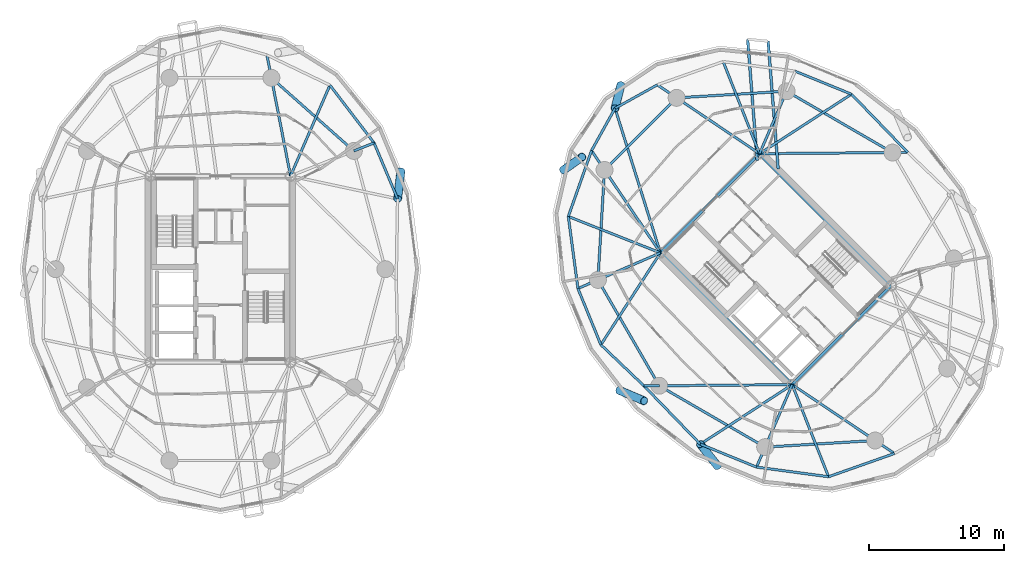
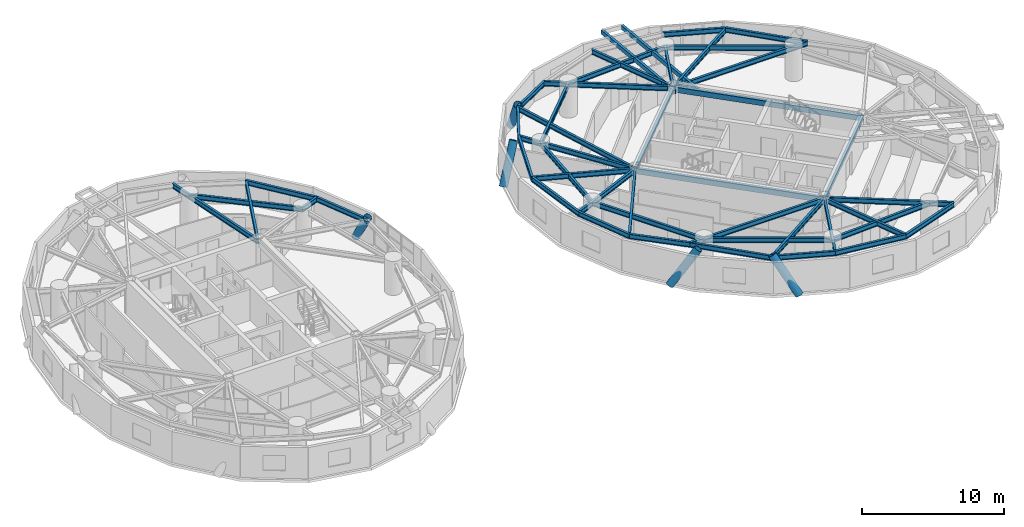
# One storey, part 4 of 17: 47 beams, 5 members.
"""IFC4 building model written with IfcOpenShell, lengths in metres."""

from ifc_helpers import new_model, si_unit, direction, frame, origin, origin_2d, place, context, subcontext, project, spatial, hollow_rectangle, hollow_circle, i_section, extrude, material, material_profile, profile_set, type_object, element, save


model = new_model("IFC4")

# Units and contexts
model_context = context("Model", 3, precision=1e-05, world=origin(), true_north=direction((0.0, 1.0)))
body_context = subcontext(model_context, "Body", "Model", "MODEL_VIEW")
ifc_project = project(units=[si_unit("LENGTHUNIT", "METRE"), si_unit("AREAUNIT", "SQUARE_METRE"), si_unit("VOLUMEUNIT", "CUBIC_METRE"), si_unit("PLANEANGLEUNIT", "RADIAN"), si_unit("MASSUNIT", "GRAM", prefix="KILO")], contexts=[model_context])

# Site, building, storey
site_placement = place(None, origin())
site = spatial("IfcSite", under=ifc_project, at=site_placement, CompositionType="ELEMENT")
building_placement = place(site_placement, origin())
building = spatial("IfcBuilding", under=site, at=building_placement, Name="Cununo Teusaquillo Station Towers", CompositionType="ELEMENT")
storey_placement = place(building_placement, frame((0.0, 0.0, 166.14990234375)))
storey = spatial("IfcBuildingStorey", under=building, at=storey_placement, Name="L52", CompositionType="ELEMENT", Elevation=166.14990234375)

# Beams
ifc_material_1 = material(Name="Steel EN 10025-2 S355J2", Category="steel")
ifc_material_profile_1 = material_profile(ifc_material_1, hollow_rectangle(XDim=0.199951171875, YDim=0.35009765625, WallThickness=0.013916015625, at=origin_2d()), Name="RHS 350x200x14")
ifc_profile_set_1 = profile_set([ifc_material_profile_1], Name="Steel EN 10025-2 S355J2")
beam_type_1 = type_object("IfcBeamType", Name="BM-BAL-CANT", PredefinedType="BEAM", material=ifc_profile_set_1)
beam_1_placement = place(storey_placement, frame((57.670166015625, 31.895751953125, 2.51513671875), z_axis=(-0.07823802751, 0.996934707517, 0.0), x_axis=(-0.996934707517, -0.07823802751, 0.0)))
element("IfcBeam", 1, at=beam_1_placement, inside=storey, type_object=beam_type_1, Name="L52 Tower B Balcony Cantilever Bracket 1A", PredefinedType="BEAM", context=body_context, shape_type="SweptSolid", body=[
    extrude(hollow_rectangle(XDim=0.199951171875, YDim=0.35009765625, WallThickness=0.013916015625, at=origin_2d()), origin(), (0.0, 0.0, 1.0), 9.458251953125),
])
beam_2_placement = place(storey_placement, frame((56.119384765625, 32.52392578125, 2.51513671875), z_axis=(-0.078230988808, 0.996935259879, 0.0), x_axis=(-0.996935259879, -0.078230988808, 0.0)))
element("IfcBeam", 2, at=beam_2_placement, inside=storey, type_object=beam_type_1, Name="L52 Tower B Balcony Cantilever Bracket 1B", PredefinedType="BEAM", context=body_context, shape_type="SweptSolid", body=[
    extrude(hollow_rectangle(XDim=0.199951171875, YDim=0.35009765625, WallThickness=0.013916015625, at=origin_2d()), origin(), (0.0, 0.0, 1.0), 8.978515625),
])
ifc_material_2 = material(Name="Steel EN 10025-2 S355J2", Category="steel")
ifc_material_profile_2 = material_profile(ifc_material_2, hollow_rectangle(XDim=0.25, YDim=0.449951171875, WallThickness=0.01611328125, at=origin_2d()), Name="RHS 450x250x16")
ifc_profile_set_2 = profile_set([ifc_material_profile_2], Name="Steel EN 10025-2 S355J2")
beam_type_2 = type_object("IfcBeamType", Name="BM-COUP-1", PredefinedType="USERDEFINED", material=ifc_profile_set_2)
for number, where, z_axis, x_axis, name in (
    (3, (58.70556640625, 15.975830078125, 2.465087890625), (-0.707106781187, 0.707106781187, 0.0), (-0.707106781187, -0.707106781187, 0.0), "L52 Tower B Core Beam 1"),
    (4, (66.024169921875, 23.29443359375, 2.465087890625), (-0.707106781187, 0.707106781187, 0.0), (-0.707106781187, -0.707106781187, 0.0), "L52 Tower B Core Beam 2"),
):
    element("IfcBeam", number, at=place(storey_placement, frame(where, z_axis=z_axis, x_axis=x_axis)), inside=storey, type_object=beam_type_2, Name=name, ObjectType="COUPLING BEAM", PredefinedType="USERDEFINED", context=body_context, shape_type="SweptSolid", body=[
        extrude(hollow_rectangle(XDim=0.25, YDim=0.449951171875, WallThickness=0.01611328125, at=origin_2d()), origin(), (0.0, 0.0, 1.0), 13.760009765625),
    ])
ifc_material_3 = material(Name="Steel ASTM A572 Grade 50", Category="steel")
ifc_material_profile_3 = material_profile(ifc_material_3, i_section(OverallWidth=0.180908203125, OverallDepth=0.4169921875, WebThickness=0.010986328125, FlangeThickness=0.018310546875, FilletRadius=0.012939453125, at=origin_2d()), Name="W16X57")
ifc_profile_set_3 = profile_set([ifc_material_profile_3], Name="Steel ASTM A572 Grade 50")
beam_type_3 = type_object("IfcBeamType", Name="BM-JOIST-1", PredefinedType="JOIST", material=ifc_profile_set_3)
beam_3_placement = place(storey_placement, frame((21.675048828125, 31.3798828125, 2.481689453125), z_axis=(0.397903718051, 0.917427180304, 0.0), x_axis=(-0.917427180304, 0.397903718051, 0.0)))
element("IfcBeam", 5, at=beam_3_placement, inside=storey, type_object=beam_type_3, Name="L52 Tower A Radial Spandrel Joist V03", PredefinedType="JOIST", context=body_context, shape_type="SweptSolid", body=[
    extrude(i_section(OverallWidth=0.180908203125, OverallDepth=0.4169921875, WebThickness=0.010986328125, FlangeThickness=0.018310546875, FilletRadius=0.012939453125, at=origin_2d()), origin(), (0.0, 0.0, 1.0), 7.306884765625),
])
beam_4_placement = place(storey_placement, frame((56.29443359375, 33.024169921875, 2.481689453125), z_axis=(0.839447756954, 0.543440395394, 0.0), x_axis=(-0.543440395394, 0.839447756954, 0.0)))
element("IfcBeam", 6, at=beam_4_placement, inside=storey, type_object=beam_type_3, Name="L52 Tower B Radial Spandrel Joist V01", PredefinedType="JOIST", context=body_context, shape_type="SweptSolid", body=[
    extrude(i_section(OverallWidth=0.180908203125, OverallDepth=0.4169921875, WebThickness=0.010986328125, FlangeThickness=0.018310546875, FilletRadius=0.012939453125, at=origin_2d()), origin(), (0.0, 0.0, 1.0), 8.08203125),
])
beam_5_placement = place(storey_placement, frame((56.29443359375, 33.024169921875, 2.481689453125), z_axis=(-0.367331607091, 0.93009004426, 0.0), x_axis=(-0.93009004426, -0.367331607091, 0.0)))
element("IfcBeam", 7, at=beam_5_placement, inside=storey, type_object=beam_type_3, Name="L52 Tower B Radial Spandrel Joist V03", PredefinedType="JOIST", context=body_context, shape_type="SweptSolid", body=[
    extrude(i_section(OverallWidth=0.180908203125, OverallDepth=0.4169921875, WebThickness=0.010986328125, FlangeThickness=0.018310546875, FilletRadius=0.012939453125, at=origin_2d()), origin(), (0.0, 0.0, 1.0), 7.306884765625),
])
beam_6_placement = place(storey_placement, frame((48.975830078125, 25.70556640625, 2.481689453125), z_axis=(-0.29947962656, 0.954102695351, 0.0), x_axis=(-0.954102695351, -0.29947962656, 0.0)))
element("IfcBeam", 8, at=beam_6_placement, inside=storey, type_object=beam_type_3, Name="L52 Tower B Radial Spandrel Joist V05", PredefinedType="JOIST", context=body_context, shape_type="SweptSolid", body=[
    extrude(i_section(OverallWidth=0.180908203125, OverallDepth=0.4169921875, WebThickness=0.010986328125, FlangeThickness=0.018310546875, FilletRadius=0.012939453125, at=origin_2d()), origin(), (0.0, 0.0, 1.0), 11.179931640625),
])
beam_7_placement = place(storey_placement, frame((48.975830078125, 25.70556640625, 2.481689453125), z_axis=(-0.93009004426, 0.367331607091, 0.0), x_axis=(-0.367331607091, -0.93009004426, 0.0)))
element("IfcBeam", 9, at=beam_7_placement, inside=storey, type_object=beam_type_3, Name="L52 Tower B Radial Spandrel Joist V07", PredefinedType="JOIST", context=body_context, shape_type="SweptSolid", body=[
    extrude(i_section(OverallWidth=0.180908203125, OverallDepth=0.4169921875, WebThickness=0.010986328125, FlangeThickness=0.018310546875, FilletRadius=0.012939453125, at=origin_2d()), origin(), (0.0, 0.0, 1.0), 7.306884765625),
])
for number, where, z_axis, x_axis, name in (
    (10, (48.975830078125, 25.70556640625, 2.481689453125), (-0.543440395394, -0.839447756954, 0.0), (0.839447756954, -0.543440395394, 0.0), "L52 Tower B Radial Spandrel Joist V09"),
    (11, (58.70556640625, 15.975830078125, 2.481689453125), (-0.839447756954, -0.543440395394, 0.0), (0.543440395394, -0.839447756954, 0.0), "L52 Tower B Radial Spandrel Joist V11"),
):
    element("IfcBeam", number, at=place(storey_placement, frame(where, z_axis=z_axis, x_axis=x_axis)), inside=storey, type_object=beam_type_3, Name=name, PredefinedType="JOIST", context=body_context, shape_type="SweptSolid", body=[
        extrude(i_section(OverallWidth=0.180908203125, OverallDepth=0.4169921875, WebThickness=0.010986328125, FlangeThickness=0.018310546875, FilletRadius=0.012939453125, at=origin_2d()), origin(), (0.0, 0.0, 1.0), 8.08203125),
    ])
beam_8_placement = place(storey_placement, frame((58.70556640625, 15.975830078125, 2.481689453125), z_axis=(0.367331607091, -0.93009004426, 0.0), x_axis=(0.93009004426, 0.367331607091, 0.0)))
element("IfcBeam", 12, at=beam_8_placement, inside=storey, type_object=beam_type_3, Name="L52 Tower B Radial Spandrel Joist V13", PredefinedType="JOIST", context=body_context, shape_type="SweptSolid", body=[
    extrude(i_section(OverallWidth=0.180908203125, OverallDepth=0.4169921875, WebThickness=0.010986328125, FlangeThickness=0.018310546875, FilletRadius=0.012939453125, at=origin_2d()), origin(), (0.0, 0.0, 1.0), 7.306884765625),
])
ifc_material_4 = material(Name="Steel ASTM A572 Grade 50", Category="steel")
ifc_material_profile_4 = material_profile(ifc_material_4, i_section(OverallWidth=0.2041015625, OverallDepth=0.35009765625, WebThickness=0.008544921875, FlangeThickness=0.01513671875, FilletRadius=0.011962890625, at=origin_2d()), Name="W14X48")
ifc_profile_set_4 = profile_set([ifc_material_profile_4], Name="Steel ASTM A572 Grade 50")
beam_type_4 = type_object("IfcBeamType", Name="BM-LINTEL-1", PredefinedType="LINTEL", material=ifc_profile_set_4)
for number, where, z_axis, x_axis, name in (
    (13, (58.70556640625, 15.975830078125, 2.51513671875), (0.707106781187, 0.707106781187, 0.0), (-0.707106781187, 0.707106781187, 0.0), "L52 Tower B Core Beam 3"),
    (14, (48.975830078125, 25.70556640625, 2.51513671875), (0.707106781187, 0.707106781187, 0.0), (-0.707106781187, 0.707106781187, 0.0), "L52 Tower B Core Beam 4"),
):
    element("IfcBeam", number, at=place(storey_placement, frame(where, z_axis=z_axis, x_axis=x_axis)), inside=storey, type_object=beam_type_4, Name=name, PredefinedType="LINTEL", context=body_context, shape_type="SweptSolid", body=[
        extrude(i_section(OverallWidth=0.2041015625, OverallDepth=0.35009765625, WebThickness=0.008544921875, FlangeThickness=0.01513671875, FilletRadius=0.011962890625, at=origin_2d()), origin(), (0.0, 0.0, 1.0), 10.35009765625),
    ])
ifc_material_5 = material(Name="Steel ASTM A572 Grade 50", Category="steel")
ifc_material_profile_5 = material_profile(ifc_material_5, i_section(OverallWidth=0.180908203125, OverallDepth=0.4169921875, WebThickness=0.010986328125, FlangeThickness=0.018310546875, FilletRadius=0.012939453125, at=origin_2d()), Name="W16X57")
ifc_profile_set_5 = profile_set([ifc_material_profile_5], Name="Steel ASTM A572 Grade 50")
beam_type_5 = type_object("IfcBeamType", Name="BM-RAD-G2", PredefinedType="BEAM", material=ifc_profile_set_5)
beam_9_placement = place(storey_placement, frame((26.347412109375, 33.228515625, 2.481689453125), z_axis=(0.929873737198, 0.367878829058, 0.0), x_axis=(-0.367878829058, 0.929873737198, 0.0)))
element("IfcBeam", 15, at=beam_9_placement, inside=storey, type_object=beam_type_5, Name="L52 Tower A Perimeter Overhang Girder 02B", PredefinedType="BEAM", context=body_context, shape_type="SweptSolid", body=[
    extrude(i_section(OverallWidth=0.180908203125, OverallDepth=0.4169921875, WebThickness=0.010986328125, FlangeThickness=0.018310546875, FilletRadius=0.012939453125, at=origin_2d()), origin(), (0.0, 0.0, 1.0), 1.607421875),
])
beam_10_placement = place(storey_placement, frame((21.675048828125, 31.3798828125, 2.481689453125), z_axis=(-0.191557018874, 0.981481486591, 0.0), x_axis=(-0.981481486591, -0.191557018874, 0.0)))
element("IfcBeam", 16, at=beam_10_placement, inside=storey, type_object=beam_type_5, Name="L52 Tower A Continuous Overhanging Radial Girder 03", PredefinedType="BEAM", context=body_context, shape_type="SweptSolid", body=[
    extrude(i_section(OverallWidth=0.180908203125, OverallDepth=0.4169921875, WebThickness=0.010986328125, FlangeThickness=0.018310546875, FilletRadius=0.012939453125, at=origin_2d()), origin(), (0.0, 0.0, 1.0), 9.097412109375),
])
beam_11_placement = place(storey_placement, frame((56.29443359375, 33.024169921875, 2.481689453125), z_axis=(0.999964410964, 0.008436634764, 0.0), x_axis=(-0.008436634764, 0.999964410964, 0.0)))
element("IfcBeam", 17, at=beam_11_placement, inside=storey, type_object=beam_type_5, Name="L52 Tower B Continuous Overhanging Radial Girder 01", PredefinedType="BEAM", context=body_context, shape_type="SweptSolid", body=[
    extrude(i_section(OverallWidth=0.180908203125, OverallDepth=0.4169921875, WebThickness=0.010986328125, FlangeThickness=0.018310546875, FilletRadius=0.012939453125, at=origin_2d()), origin(), (0.0, 0.0, 1.0), 10.938720703125),
])
beam_12_placement = place(storey_placement, frame((56.29443359375, 33.024169921875, 2.481689453125), z_axis=(0.397346986387, 0.917668443616, 0.0), x_axis=(-0.917668443616, 0.397346986387, 0.0)))
element("IfcBeam", 18, at=beam_12_placement, inside=storey, type_object=beam_type_5, Name="L52 Tower B Radial Girder 02A", PredefinedType="BEAM", context=body_context, shape_type="SweptSolid", body=[
    extrude(i_section(OverallWidth=0.180908203125, OverallDepth=0.4169921875, WebThickness=0.010986328125, FlangeThickness=0.018310546875, FilletRadius=0.012939453125, at=origin_2d()), origin(), (0.0, 0.0, 1.0), 5.02490234375),
])
for number, where, z_axis, x_axis, name in (
    (19, (56.29443359375, 33.024169921875, 2.481689453125), (-0.829456719326, 0.558570989907, 0.0), (-0.558570989907, -0.829456719326, 0.0), "L52 Tower B Continuous Overhanging Radial Girder 03"),
    (20, (48.975830078125, 25.70556640625, 2.481689453125), (-0.558570989907, 0.829456719326, 0.0), (-0.829456719326, -0.558570989907, 0.0), "L52 Tower B Continuous Overhanging Radial Girder 04"),
):
    element("IfcBeam", number, at=place(storey_placement, frame(where, z_axis=z_axis, x_axis=x_axis)), inside=storey, type_object=beam_type_5, Name=name, PredefinedType="BEAM", context=body_context, shape_type="SweptSolid", body=[
        extrude(i_section(OverallWidth=0.180908203125, OverallDepth=0.4169921875, WebThickness=0.010986328125, FlangeThickness=0.018310546875, FilletRadius=0.012939453125, at=origin_2d()), origin(), (0.0, 0.0, 1.0), 9.097412109375),
    ])
beam_13_placement = place(storey_placement, frame((48.975830078125, 25.70556640625, 2.481689453125), z_axis=(-0.917664823247, -0.397355347486, 0.0), x_axis=(0.397355347486, -0.917664823247, 0.0)))
element("IfcBeam", 21, at=beam_13_placement, inside=storey, type_object=beam_type_5, Name="L52 Tower B Continuous Overhanging Radial Girder 05", PredefinedType="BEAM", context=body_context, shape_type="SweptSolid", body=[
    extrude(i_section(OverallWidth=0.180908203125, OverallDepth=0.4169921875, WebThickness=0.010986328125, FlangeThickness=0.018310546875, FilletRadius=0.012939453125, at=origin_2d()), origin(), (0.0, 0.0, 1.0), 6.632080078125),
])
beam_14_placement = place(storey_placement, frame((58.70556640625, 15.975830078125, 2.481689453125), z_axis=(-0.999964431382, -0.008434214327, 0.0), x_axis=(0.008434214327, -0.999964431382, 0.0)))
element("IfcBeam", 22, at=beam_14_placement, inside=storey, type_object=beam_type_5, Name="L52 Tower B Radial Girder 06A", PredefinedType="BEAM", context=body_context, shape_type="SweptSolid", body=[
    extrude(i_section(OverallWidth=0.180908203125, OverallDepth=0.4169921875, WebThickness=0.010986328125, FlangeThickness=0.018310546875, FilletRadius=0.012939453125, at=origin_2d()), origin(), (0.0, 0.0, 1.0), 9.812744140625),
])
beam_15_placement = place(storey_placement, frame((48.89306640625, 15.89306640625, 2.481689453125), z_axis=(-0.99996423274, -0.008457732613, 0.0), x_axis=(0.008457732613, -0.99996423274, 0.0)))
element("IfcBeam", 23, at=beam_15_placement, inside=storey, type_object=beam_type_5, Name="L52 Tower B Perimeter Overhang Girder 06B", PredefinedType="BEAM", context=body_context, shape_type="SweptSolid", body=[
    extrude(i_section(OverallWidth=0.180908203125, OverallDepth=0.4169921875, WebThickness=0.010986328125, FlangeThickness=0.018310546875, FilletRadius=0.012939453125, at=origin_2d()), origin(), (0.0, 0.0, 1.0), 1.125732421875),
])
beam_16_placement = place(storey_placement, frame((58.70556640625, 15.975830078125, 2.481689453125), z_axis=(-0.397355347486, -0.917664823247, 0.0), x_axis=(0.917664823247, -0.397355347486, 0.0)))
element("IfcBeam", 24, at=beam_16_placement, inside=storey, type_object=beam_type_5, Name="L52 Tower B Continuous Overhanging Radial Girder 07", PredefinedType="BEAM", context=body_context, shape_type="SweptSolid", body=[
    extrude(i_section(OverallWidth=0.180908203125, OverallDepth=0.4169921875, WebThickness=0.010986328125, FlangeThickness=0.018310546875, FilletRadius=0.012939453125, at=origin_2d()), origin(), (0.0, 0.0, 1.0), 6.632080078125),
])
beam_17_placement = place(storey_placement, frame((58.70556640625, 15.975830078125, 2.481689453125), z_axis=(0.829456719326, -0.558570989907, 0.0), x_axis=(0.558570989907, 0.829456719326, 0.0)))
element("IfcBeam", 25, at=beam_17_placement, inside=storey, type_object=beam_type_5, Name="L52 Tower B Continuous Overhanging Radial Girder 08", PredefinedType="BEAM", context=body_context, shape_type="SweptSolid", body=[
    extrude(i_section(OverallWidth=0.180908203125, OverallDepth=0.4169921875, WebThickness=0.010986328125, FlangeThickness=0.018310546875, FilletRadius=0.012939453125, at=origin_2d()), origin(), (0.0, 0.0, 1.0), 9.097412109375),
])
ifc_material_6 = material(Name="Steel ASTM A572 Grade 50", Category="steel")
ifc_material_profile_6 = material_profile(ifc_material_6, i_section(OverallWidth=0.180908203125, OverallDepth=0.4169921875, WebThickness=0.010986328125, FlangeThickness=0.018310546875, FilletRadius=0.012939453125, at=origin_2d()), Name="W16X57")
ifc_profile_set_6 = profile_set([ifc_material_profile_6], Name="Steel ASTM A572 Grade 50")
beam_type_6 = type_object("IfcBeamType", Name="BM-RING-Z3", PredefinedType="SPANDREL", material=ifc_profile_set_6)
beam_18_placement = place(storey_placement, frame((26.347412109375, 33.228515625, 2.481689453125), z_axis=(-0.74832120039, 0.66333655187, 0.0), x_axis=(-0.66333655187, -0.74832120039, 0.0)))
element("IfcBeam", 26, at=beam_18_placement, inside=storey, type_object=beam_type_6, Name="L52 Tower A Structural Column Ring Girder 02", PredefinedType="SPANDREL", context=body_context, shape_type="SweptSolid", body=[
    extrude(i_section(OverallWidth=0.180908203125, OverallDepth=0.4169921875, WebThickness=0.010986328125, FlangeThickness=0.018310546875, FilletRadius=0.012939453125, at=origin_2d()), origin(), (0.0, 0.0, 1.0), 8.1328125),
])
beam_19_placement = place(storey_placement, frame((29.577880859375, 29.6884765625, 2.481689453125), z_axis=(-0.387360300858, 0.921928412253, 0.0), x_axis=(-0.921928412253, -0.387360300858, 0.0)))
element("IfcBeam", 27, at=beam_19_placement, inside=storey, type_object=beam_type_6, Name="L52 Tower A Spandrel Ring Beam 02", PredefinedType="SPANDREL", context=body_context, shape_type="SweptSolid", body=[
    extrude(i_section(OverallWidth=0.180908203125, OverallDepth=0.4169921875, WebThickness=0.010986328125, FlangeThickness=0.018310546875, FilletRadius=0.012939453125, at=origin_2d()), origin(), (0.0, 0.0, 1.0), 4.481201171875),
])
beam_20_placement = place(storey_placement, frame((27.842041015625, 33.81982421875, 2.481689453125), z_axis=(-0.607340349092, 0.794441753916, 0.0), x_axis=(-0.794441753916, -0.607340349092, 0.0)))
element("IfcBeam", 28, at=beam_20_placement, inside=storey, type_object=beam_type_6, Name="L52 Tower A Spandrel Ring Beam 03", PredefinedType="SPANDREL", context=body_context, shape_type="SweptSolid", body=[
    extrude(i_section(OverallWidth=0.180908203125, OverallDepth=0.4169921875, WebThickness=0.010986328125, FlangeThickness=0.018310546875, FilletRadius=0.012939453125, at=origin_2d()), origin(), (0.0, 0.0, 1.0), 5.366943359375),
])
beam_21_placement = place(storey_placement, frame((66.10693359375, 33.10693359375, 2.481689453125), z_axis=(-0.865267103202, 0.501311121078, 0.0), x_axis=(-0.501311121078, -0.865267103202, 0.0)))
element("IfcBeam", 29, at=beam_21_placement, inside=storey, type_object=beam_type_6, Name="L52 Tower B Structural Column Ring Girder 01", PredefinedType="SPANDREL", context=body_context, shape_type="SweptSolid", body=[
    extrude(i_section(OverallWidth=0.180908203125, OverallDepth=0.4169921875, WebThickness=0.010986328125, FlangeThickness=0.018310546875, FilletRadius=0.012939453125, at=origin_2d()), origin(), (0.0, 0.0, 1.0), 9.032958984375),
])
beam_22_placement = place(storey_placement, frame((58.291015625, 37.63525390625, 2.481689453125), z_axis=(-0.998190567048, -0.06012979176, 0.0), x_axis=(0.06012979176, -0.998190567048, 0.0)))
element("IfcBeam", 30, at=beam_22_placement, inside=storey, type_object=beam_type_6, Name="L52 Tower B Structural Column Ring Girder 02", PredefinedType="SPANDREL", context=body_context, shape_type="SweptSolid", body=[
    extrude(i_section(OverallWidth=0.180908203125, OverallDepth=0.4169921875, WebThickness=0.010986328125, FlangeThickness=0.018310546875, FilletRadius=0.012939453125, at=origin_2d()), origin(), (0.0, 0.0, 1.0), 8.132568359375),
])
beam_23_placement = place(storey_placement, frame((50.173095703125, 37.146240234375, 2.481689453125), z_axis=(-0.707106781187, -0.707106781187, 0.0), x_axis=(0.707106781187, -0.707106781187, 0.0)))
element("IfcBeam", 31, at=beam_23_placement, inside=storey, type_object=beam_type_6, Name="L52 Tower B Structural Column Ring Girder 03", PredefinedType="SPANDREL", context=body_context, shape_type="SweptSolid", body=[
    extrude(i_section(OverallWidth=0.180908203125, OverallDepth=0.4169921875, WebThickness=0.010986328125, FlangeThickness=0.018310546875, FilletRadius=0.012939453125, at=origin_2d()), origin(), (0.0, 0.0, 1.0), 7.522705078125),
])
beam_24_placement = place(storey_placement, frame((44.853759765625, 31.826904296875, 2.481689453125), z_axis=(-0.06012979176, -0.998190567048, 0.0), x_axis=(0.998190567048, -0.06012979176, 0.0)))
element("IfcBeam", 32, at=beam_24_placement, inside=storey, type_object=beam_type_6, Name="L52 Tower B Structural Column Ring Girder 04", PredefinedType="SPANDREL", context=body_context, shape_type="SweptSolid", body=[
    extrude(i_section(OverallWidth=0.180908203125, OverallDepth=0.4169921875, WebThickness=0.010986328125, FlangeThickness=0.018310546875, FilletRadius=0.012939453125, at=origin_2d()), origin(), (0.0, 0.0, 1.0), 8.132568359375),
])
for number, where, z_axis, x_axis, name in (
    (33, (44.36474609375, 23.708984375, 2.481689453125), (0.501311121078, -0.865267103202, 0.0), (0.865267103202, 0.501311121078, 0.0), "L52 Tower B Structural Column Ring Girder 05"),
    (34, (48.89306640625, 15.89306640625, 2.481689453125), (0.865267103202, -0.501311121078, 0.0), (0.501311121078, 0.865267103202, 0.0), "L52 Tower B Structural Column Ring Girder 06"),
):
    element("IfcBeam", number, at=place(storey_placement, frame(where, z_axis=z_axis, x_axis=x_axis)), inside=storey, type_object=beam_type_6, Name=name, PredefinedType="SPANDREL", context=body_context, shape_type="SweptSolid", body=[
        extrude(i_section(OverallWidth=0.180908203125, OverallDepth=0.4169921875, WebThickness=0.010986328125, FlangeThickness=0.018310546875, FilletRadius=0.012939453125, at=origin_2d()), origin(), (0.0, 0.0, 1.0), 9.032958984375),
    ])
beam_25_placement = place(storey_placement, frame((56.708984375, 11.36474609375, 2.481689453125), z_axis=(0.998190567048, 0.06012979176, 0.0), x_axis=(-0.06012979176, 0.998190567048, 0.0)))
element("IfcBeam", 35, at=beam_25_placement, inside=storey, type_object=beam_type_6, Name="L52 Tower B Structural Column Ring Girder 07", PredefinedType="SPANDREL", context=body_context, shape_type="SweptSolid", body=[
    extrude(i_section(OverallWidth=0.180908203125, OverallDepth=0.4169921875, WebThickness=0.010986328125, FlangeThickness=0.018310546875, FilletRadius=0.012939453125, at=origin_2d()), origin(), (0.0, 0.0, 1.0), 8.132568359375),
])
beam_26_placement = place(storey_placement, frame((67.232666015625, 33.116455078125, 2.481689453125), z_axis=(-0.694791256552, 0.719211450005, 0.0), x_axis=(-0.719211450005, -0.694791256552, 0.0)))
element("IfcBeam", 36, at=beam_26_placement, inside=storey, type_object=beam_type_6, Name="L52 Tower B Spandrel Ring Beam 01", PredefinedType="SPANDREL", context=body_context, shape_type="SweptSolid", body=[
    extrude(i_section(OverallWidth=0.180908203125, OverallDepth=0.4169921875, WebThickness=0.010986328125, FlangeThickness=0.018310546875, FilletRadius=0.012939453125, at=origin_2d()), origin(), (0.0, 0.0, 1.0), 5.978515625),
])
beam_27_placement = place(storey_placement, frame((63.078857421875, 37.416259765625, 2.481689453125), z_axis=(-0.925823525235, 0.377956082264, 0.0), x_axis=(-0.377956082264, -0.925823525235, 0.0)))
element("IfcBeam", 37, at=beam_27_placement, inside=storey, type_object=beam_type_6, Name="L52 Tower B Spandrel Ring Beam 02", PredefinedType="SPANDREL", context=body_context, shape_type="SweptSolid", body=[
    extrude(i_section(OverallWidth=0.180908203125, OverallDepth=0.4169921875, WebThickness=0.010986328125, FlangeThickness=0.018310546875, FilletRadius=0.012939453125, at=origin_2d()), origin(), (0.0, 0.0, 1.0), 4.481689453125),
])
for number, where, z_axis, x_axis, name in (
    (38, (48.74853515625, 38.105712890625, 2.481689453125), (-0.874205659621, -0.485555830659, 0.0), (0.485555830659, -0.874205659621, 0.0), "L52 Tower B Spandrel Ring Beam 05"),
    (39, (45.627685546875, 36.372314453125, 2.481689453125), (-0.485555830659, -0.874205659621, 0.0), (0.874205659621, -0.485555830659, 0.0), "L52 Tower B Spandrel Ring Beam 06"),
):
    element("IfcBeam", number, at=place(storey_placement, frame(where, z_axis=z_axis, x_axis=x_axis)), inside=storey, type_object=beam_type_6, Name=name, PredefinedType="SPANDREL", context=body_context, shape_type="SweptSolid", body=[
        extrude(i_section(OverallWidth=0.180908203125, OverallDepth=0.4169921875, WebThickness=0.010986328125, FlangeThickness=0.018310546875, FilletRadius=0.012939453125, at=origin_2d()), origin(), (0.0, 0.0, 1.0), 3.56982421875),
    ])
beam_28_placement = place(storey_placement, frame((43.894287109375, 33.25146484375, 2.481689453125), z_axis=(-0.332589733158, -0.943071614141, 0.0), x_axis=(0.943071614141, -0.332589733158, 0.0)))
element("IfcBeam", 40, at=beam_28_placement, inside=storey, type_object=beam_type_6, Name="L52 Tower B Spandrel Ring Beam 07", PredefinedType="SPANDREL", context=body_context, shape_type="SweptSolid", body=[
    extrude(i_section(OverallWidth=0.180908203125, OverallDepth=0.4169921875, WebThickness=0.010986328125, FlangeThickness=0.018310546875, FilletRadius=0.012939453125, at=origin_2d()), origin(), (0.0, 0.0, 1.0), 5.1552734375),
])
beam_29_placement = place(storey_placement, frame((42.1796875, 28.3896484375, 2.481689453125), z_axis=(0.132339532096, -0.991204443213, 0.0), x_axis=(0.991204443213, 0.132339532096, 0.0)))
element("IfcBeam", 41, at=beam_29_placement, inside=storey, type_object=beam_type_6, Name="L52 Tower B Spandrel Ring Beam 08", PredefinedType="SPANDREL", context=body_context, shape_type="SweptSolid", body=[
    extrude(i_section(OverallWidth=0.180908203125, OverallDepth=0.4169921875, WebThickness=0.010986328125, FlangeThickness=0.018310546875, FilletRadius=0.012939453125, at=origin_2d()), origin(), (0.0, 0.0, 1.0), 5.366455078125),
])
beam_30_placement = place(storey_placement, frame((42.889892578125, 23.0703125, 2.481689453125), z_axis=(0.377956082264, -0.925823525235, 0.0), x_axis=(0.925823525235, 0.377956082264, 0.0)))
element("IfcBeam", 42, at=beam_30_placement, inside=storey, type_object=beam_type_6, Name="L52 Tower B Spandrel Ring Beam 09", PredefinedType="SPANDREL", context=body_context, shape_type="SweptSolid", body=[
    extrude(i_section(OverallWidth=0.180908203125, OverallDepth=0.4169921875, WebThickness=0.010986328125, FlangeThickness=0.018310546875, FilletRadius=0.012939453125, at=origin_2d()), origin(), (0.0, 0.0, 1.0), 4.481689453125),
])
beam_31_placement = place(storey_placement, frame((44.583740234375, 18.921142578125, 2.481689453125), z_axis=(0.723501643849, -0.690322657421, 0.0), x_axis=(0.690322657421, 0.723501643849, 0.0)))
element("IfcBeam", 43, at=beam_31_placement, inside=storey, type_object=beam_type_6, Name="L52 Tower B Spandrel Ring Beam 10", PredefinedType="SPANDREL", context=body_context, shape_type="SweptSolid", body=[
    extrude(i_section(OverallWidth=0.180908203125, OverallDepth=0.4169921875, WebThickness=0.010986328125, FlangeThickness=0.018310546875, FilletRadius=0.012939453125, at=origin_2d()), origin(), (0.0, 0.0, 1.0), 4.400146484375),
])
beam_32_placement = place(storey_placement, frame((47.767333984375, 15.883544921875, 2.481689453125), z_axis=(0.694791256552, -0.719211450005, 0.0), x_axis=(0.719211450005, 0.694791256552, 0.0)))
element("IfcBeam", 44, at=beam_32_placement, inside=storey, type_object=beam_type_6, Name="L52 Tower B Spandrel Ring Beam 11", PredefinedType="SPANDREL", context=body_context, shape_type="SweptSolid", body=[
    extrude(i_section(OverallWidth=0.180908203125, OverallDepth=0.4169921875, WebThickness=0.010986328125, FlangeThickness=0.018310546875, FilletRadius=0.012939453125, at=origin_2d()), origin(), (0.0, 0.0, 1.0), 5.978515625),
])
beam_33_placement = place(storey_placement, frame((51.921142578125, 11.583740234375, 2.481689453125), z_axis=(0.925823525235, -0.377956082264, 0.0), x_axis=(0.377956082264, 0.925823525235, 0.0)))
element("IfcBeam", 45, at=beam_33_placement, inside=storey, type_object=beam_type_6, Name="L52 Tower B Spandrel Ring Beam 12", PredefinedType="SPANDREL", context=body_context, shape_type="SweptSolid", body=[
    extrude(i_section(OverallWidth=0.180908203125, OverallDepth=0.4169921875, WebThickness=0.010986328125, FlangeThickness=0.018310546875, FilletRadius=0.012939453125, at=origin_2d()), origin(), (0.0, 0.0, 1.0), 4.481689453125),
])
beam_34_placement = place(storey_placement, frame((56.0703125, 9.889892578125, 2.481689453125), z_axis=(0.991204443213, -0.132339532096, 0.0), x_axis=(0.132339532096, 0.991204443213, 0.0)))
element("IfcBeam", 46, at=beam_34_placement, inside=storey, type_object=beam_type_6, Name="L52 Tower B Spandrel Ring Beam 13", PredefinedType="SPANDREL", context=body_context, shape_type="SweptSolid", body=[
    extrude(i_section(OverallWidth=0.180908203125, OverallDepth=0.4169921875, WebThickness=0.010986328125, FlangeThickness=0.018310546875, FilletRadius=0.012939453125, at=origin_2d()), origin(), (0.0, 0.0, 1.0), 5.366455078125),
])
beam_35_placement = place(storey_placement, frame((61.3896484375, 9.1796875, 2.481689453125), z_axis=(0.943071614141, 0.332589733158, 0.0), x_axis=(-0.332589733158, 0.943071614141, 0.0)))
element("IfcBeam", 47, at=beam_35_placement, inside=storey, type_object=beam_type_6, Name="L52 Tower B Spandrel Ring Beam 14", PredefinedType="SPANDREL", context=body_context, shape_type="SweptSolid", body=[
    extrude(i_section(OverallWidth=0.180908203125, OverallDepth=0.4169921875, WebThickness=0.010986328125, FlangeThickness=0.018310546875, FilletRadius=0.012939453125, at=origin_2d()), origin(), (0.0, 0.0, 1.0), 5.1552734375),
])

# Members
ifc_material_7 = material(Name="Steel EN 10025-2 S355J2", Category="steel")
ifc_material_profile_7 = material_profile(ifc_material_7, hollow_circle(Radius=0.304931640625, WallThickness=0.02001953125, at=origin_2d()), Name="CHS 610x20")
ifc_profile_set_7 = profile_set([ifc_material_profile_7], Name="Steel EN 10025-2 S355J2")
member_type = type_object("IfcMemberType", Name="MBR-DIAG-Z3", PredefinedType="BRACE", material=ifc_profile_set_7)
member_1_placement = place(storey_placement, frame((29.816162109375, 31.73095703125, -0.139892578125), z_axis=(-0.066873618583, -0.573222021585, 0.816666659726), x_axis=(0.993263594593, -0.115876795162, 0.0)))
element("IfcMember", 48, at=member_1_placement, inside=storey, type_object=member_type, Name="L52 Tower A Folded-Zigzag Diagrid Tube C01", PredefinedType="BRACE", context=body_context, shape_type="SweptSolid", body=[
    extrude(hollow_circle(Radius=0.304931640625, WallThickness=0.02001953125, at=origin_2d()), origin(), (0.0, 0.0, 1.0), 3.563232421875),
])
member_2_placement = place(storey_placement, frame((46.059814453125, 38.086669921875, -0.139892578125), z_axis=(-0.126913861794, -0.503496687865, 0.854625038829), x_axis=(0.96966953843, -0.244419692826, 0.0)))
element("IfcMember", 49, at=member_2_placement, inside=storey, type_object=member_type, Name="L52 Tower B Folded-Zigzag Diagrid Tube C04", PredefinedType="BRACE", context=body_context, shape_type="SweptSolid", body=[
    extrude(hollow_circle(Radius=0.304931640625, WallThickness=0.02001953125, at=origin_2d()), origin(), (0.0, 0.0, 1.0), 3.40478515625),
])
member_3_placement = place(storey_placement, frame((41.816162109375, 31.80810546875, -0.139892578125), z_axis=(0.411950194575, 0.290430321875, 0.863682386833), x_axis=(-0.576208975745, 0.817302401973, 0.0)))
element("IfcMember", 50, at=member_3_placement, inside=storey, type_object=member_type, Name="L52 Tower B Folded-Zigzag Diagrid Tube C06", PredefinedType="BRACE", context=body_context, shape_type="SweptSolid", body=[
    extrude(hollow_circle(Radius=0.304931640625, WallThickness=0.02001953125, at=origin_2d()), origin(), (0.0, 0.0, 1.0), 3.369140625),
])
member_4_placement = place(storey_placement, frame((45.9404296875, 15.56103515625, -0.139892578125), z_axis=(0.520298981985, -0.222273717473, 0.824550401047), x_axis=(0.392856543053, 0.91959976978, 0.0)))
element("IfcMember", 51, at=member_4_placement, inside=storey, type_object=member_type, Name="L52 Tower B Folded-Zigzag Diagrid Tube C09", PredefinedType="BRACE", context=body_context, shape_type="SweptSolid", body=[
    extrude(hollow_circle(Radius=0.304931640625, WallThickness=0.02001953125, at=origin_2d()), origin(), (0.0, 0.0, 1.0), 3.529052734375),
])
member_5_placement = place(storey_placement, frame((53.197021484375, 9.970947265625, -0.139892578125), z_axis=(-0.358068799685, 0.452621984447, 0.816651745781), x_axis=(-0.78426243701, -0.620429230368, 0.0)))
element("IfcMember", 52, at=member_5_placement, inside=storey, type_object=member_type, Name="L52 Tower B Folded-Zigzag Diagrid Tube C11", PredefinedType="BRACE", context=body_context, shape_type="SweptSolid", body=[
    extrude(hollow_circle(Radius=0.304931640625, WallThickness=0.02001953125, at=origin_2d()), origin(), (0.0, 0.0, 1.0), 3.563232421875),
])

save(model, "model.ifc")
